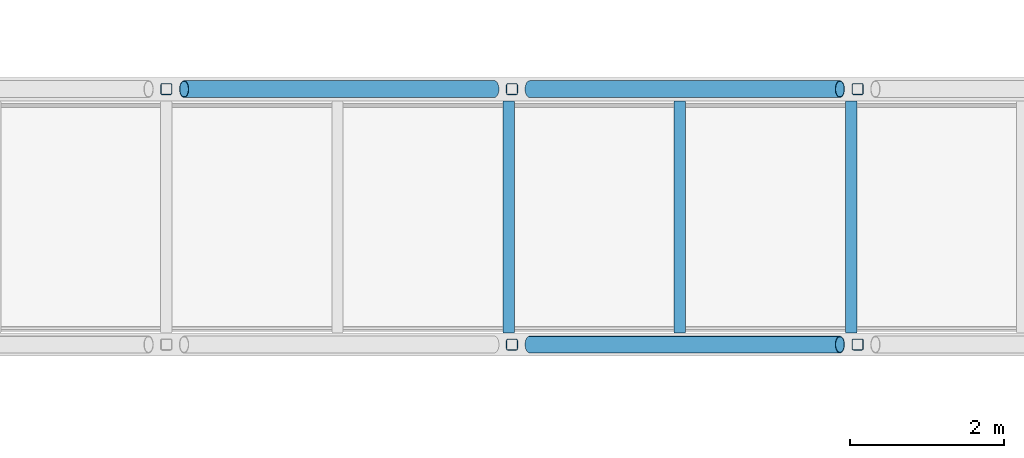
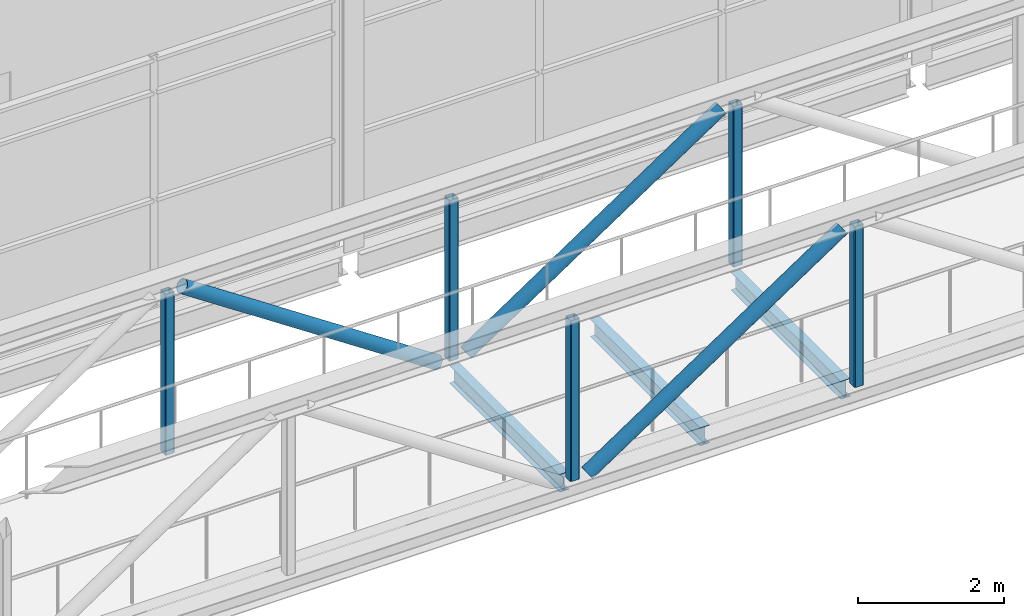
# One storey, part 55 of 115: 8 members, 3 beams.
"""IFC4 building model written with IfcOpenShell, lengths in metres."""

from ifc_helpers import new_model, si_unit, direction, frame, origin, origin_2d, place, context, subcontext, project, spatial, hollow_rectangle, hollow_circle, i_section, extrude, material, material_profile, profile_set, type_object, element, save


model = new_model("IFC4")

# Units and contexts
model_context = context("Model", 3, precision=1e-05, world=origin(), true_north=direction((0.0, 1.0)))
body_context = subcontext(model_context, "Body", "Model", "MODEL_VIEW")
ifc_project = project(units=[si_unit("LENGTHUNIT", "METRE"), si_unit("AREAUNIT", "SQUARE_METRE"), si_unit("VOLUMEUNIT", "CUBIC_METRE"), si_unit("PLANEANGLEUNIT", "RADIAN"), si_unit("MASSUNIT", "GRAM", prefix="KILO")], contexts=[model_context])

# Site, building, storey
site_placement = place(None, origin())
site = spatial("IfcSite", under=ifc_project, at=site_placement, CompositionType="ELEMENT")
building_placement = place(site_placement, origin())
building = spatial("IfcBuilding", under=site, at=building_placement, Name="Shorebreak Coast Museum", CompositionType="ELEMENT")
storey_placement = place(building_placement, frame((0.0, 0.0, 11.0)))
storey = spatial("IfcBuildingStorey", under=building, at=storey_placement, Name="L02", CompositionType="ELEMENT", Elevation=11.0)

# Beams
ifc_material_1 = material(Name="Steel Grade 300", Category="steel")
ifc_material_profile_1 = material_profile(ifc_material_1, i_section(OverallWidth=0.14892578125, OverallDepth=0.298095703125, WebThickness=0.005615234375, FlangeThickness=0.008056640625, FilletRadius=0.012939453125, at=origin_2d()), Name="310UB32.0")
ifc_profile_set_1 = profile_set([ifc_material_profile_1], Name="Steel Grade 300")
beam_type = type_object("IfcBeamType", Name="Atrium bridge cross beam 310UB32.0", PredefinedType="BEAM", material=ifc_profile_set_1)
for number, where, z_axis, x_axis, name in (
    (1, (89.95703125, 74.989990234375, -0.323974609375), (0.0, 1.0, 0.0), (-1.0, 0.0, 0.0), "Atrium bridge cross beam BR1 13"),
    (2, (92.185546875, 74.989990234375, -0.323974609375), (0.0, 1.0, 0.0), (-1.0, 0.0, 0.0), "Atrium bridge cross beam BR1 14"),
    (3, (94.414306640625, 74.989990234375, -0.323974609375), (0.0, 1.0, 0.0), (-1.0, 0.0, 0.0), "Atrium bridge cross beam BR1 15"),
):
    element("IfcBeam", number, at=place(storey_placement, frame(where, z_axis=z_axis, x_axis=x_axis)), inside=storey, type_object=beam_type, Name=name, PredefinedType="BEAM", context=body_context, shape_type="SweptSolid", body=[
        extrude(i_section(OverallWidth=0.14892578125, OverallDepth=0.298095703125, WebThickness=0.005615234375, FlangeThickness=0.008056640625, FilletRadius=0.012939453125, at=origin_2d()), origin(), (0.0, 0.0, 1.0), 3.02001953125),
    ])

# Members
ifc_material_2 = material(Name="Steel Grade C350L0", Category="steel")
ifc_material_profile_2 = material_profile(ifc_material_2, hollow_circle(Radius=0.109619140625, WallThickness=0.00830078125, at=origin_2d()), Name="219.1x8.2 CHS")
ifc_profile_set_2 = profile_set([ifc_material_profile_2], Name="Steel Grade C350L0")
member_type_1 = type_object("IfcMemberType", Name="Atrium bridge truss diagonal 219.1x8.2 CHS", PredefinedType="BRACE", material=ifc_profile_set_2)
for number, where, z_axis, x_axis, name in (
    (4, (90.23095703125, 74.83740234375, -0.175048828125), (0.832042555046, 0.0, 0.554711804987), (0.0, 1.0, 0.0), "Atrium bridge truss BR1 side A diagonal D07"),
    (5, (89.76904296875, 78.16259765625, -0.175048828125), (-0.832042555046, 0.0, 0.554711804987), (0.0, -1.0, 0.0), "Atrium bridge truss BR1 side B diagonal D06"),
    (6, (90.23095703125, 78.16259765625, -0.175048828125), (0.832042555046, 0.0, 0.554711804987), (0.0, 1.0, 0.0), "Atrium bridge truss BR1 side B diagonal D07"),
):
    element("IfcMember", number, at=place(storey_placement, frame(where, z_axis=z_axis, x_axis=x_axis)), inside=storey, type_object=member_type_1, Name=name, PredefinedType="BRACE", context=body_context, shape_type="SweptSolid", body=[
        extrude(hollow_circle(Radius=0.109619140625, WallThickness=0.00830078125, at=origin_2d()), origin(), (0.0, 0.0, 1.0), 4.853271484375),
    ])
ifc_material_3 = material(Name="Steel Grade C450L0", Category="steel")
ifc_material_profile_3 = material_profile(ifc_material_3, hollow_rectangle(XDim=0.14990234375, YDim=0.14990234375, WallThickness=0.009033203125, InnerFilletRadius=0.013427734375, OuterFilletRadius=0.0224609375, at=origin_2d()), Name="150x150x9.0 SHS")
ifc_profile_set_3 = profile_set([ifc_material_profile_3], Name="Steel Grade C450L0")
member_type_2 = type_object("IfcMemberType", Name="Atrium bridge truss strut 150x150x9.0 SHS", PredefinedType="STRUT", material=ifc_profile_set_3)
for number, where, z_axis, x_axis, name in (
    (7, (90.0, 74.83740234375, -0.175048828125), (0.0, 0.0, 1.0), (1.0, 0.0, 0.0), "Atrium bridge truss BR1 side A strut V07"),
    (8, (94.5, 74.83740234375, -0.175048828125), (0.0, 0.0, 1.0), (1.0, 0.0, 0.0), "Atrium bridge truss BR1 side A strut V08"),
    (9, (85.5, 78.16259765625, -0.175048828125), (0.0, 0.0, 1.0), (1.0, 0.0, 0.0), "Atrium bridge truss BR1 side B strut V06"),
    (10, (90.0, 78.16259765625, -0.175048828125), (0.0, 0.0, 1.0), (1.0, 0.0, 0.0), "Atrium bridge truss BR1 side B strut V07"),
    (11, (94.5, 78.16259765625, -0.175048828125), (0.0, 0.0, 1.0), (1.0, 0.0, 0.0), "Atrium bridge truss BR1 side B strut V08"),
):
    element("IfcMember", number, at=place(storey_placement, frame(where, z_axis=z_axis, x_axis=x_axis)), inside=storey, type_object=member_type_2, Name=name, PredefinedType="STRUT", context=body_context, shape_type="SweptSolid", body=[
        extrude(hollow_rectangle(XDim=0.14990234375, YDim=0.14990234375, WallThickness=0.009033203125, InnerFilletRadius=0.013427734375, OuterFilletRadius=0.0224609375, at=origin_2d()), origin(), (0.0, 0.0, 1.0), 2.692138671875),
    ])

save(model, "model.ifc")
